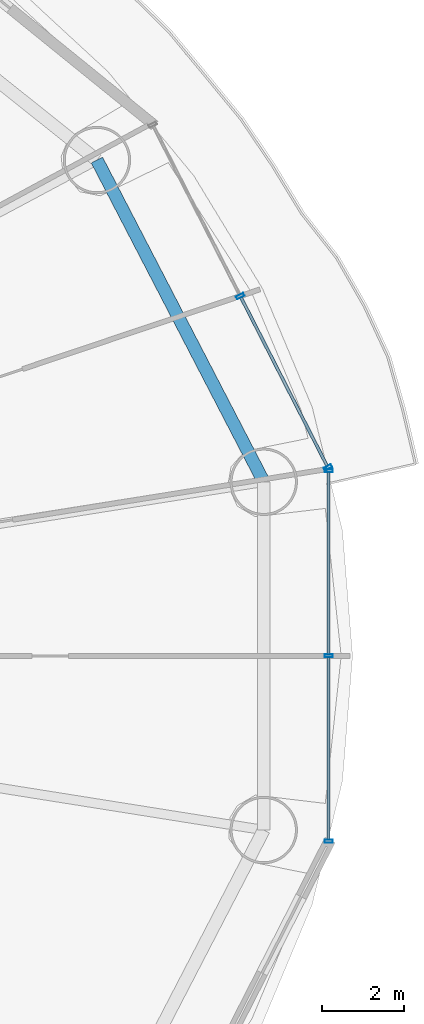
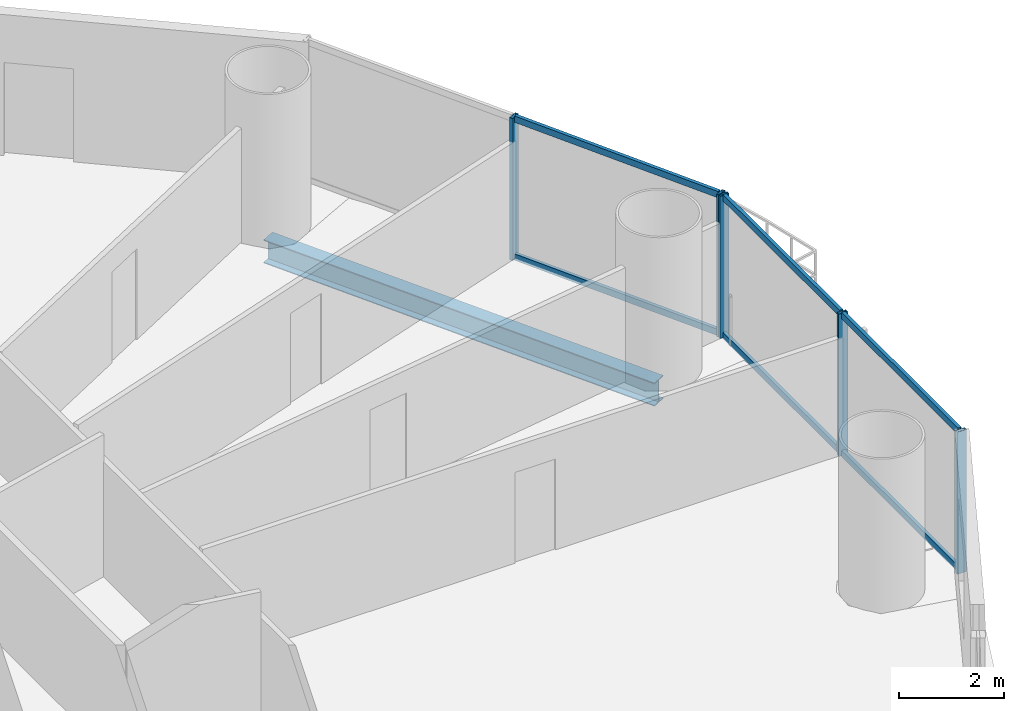
# One storey, part 14 of 29: 11 members, 1 beam, 2 elements without a shape of their own.
"""IFC4 building model written with IfcOpenShell, lengths in metres."""

from ifc_helpers import new_model, si_unit, direction, frame, origin, origin_2d, place, context, subcontext, project, spatial, hollow_rectangle, i_section, extrude, source, transform, mapped, material, material_profile, profile_set, type_object, element, aggregate, save


model = new_model("IFC4")

# Units and contexts
model_context = context("Model", 3, precision=1e-05, world=origin(), true_north=direction((-0.2419218956, 0.970295726276)))
body_context = subcontext(model_context, "Body", "Model", "MODEL_VIEW")
ifc_project = project(units=[si_unit("LENGTHUNIT", "METRE"), si_unit("AREAUNIT", "SQUARE_METRE"), si_unit("VOLUMEUNIT", "CUBIC_METRE"), si_unit("PLANEANGLEUNIT", "RADIAN"), si_unit("MASSUNIT", "GRAM", prefix="KILO")], contexts=[model_context])

# Site, building, storey
site_placement = place(None, origin())
site = spatial("IfcSite", under=ifc_project, at=site_placement, CompositionType="ELEMENT")
building_placement = place(site_placement, origin())
building = spatial("IfcBuilding", under=site, at=building_placement, Name="Cobrevalo Terracotta Tower", CompositionType="ELEMENT")
storey_placement = place(building_placement, frame((0.0, 0.0, 45.60009765625)))
storey = spatial("IfcBuildingStorey", under=building, at=storey_placement, Name="L11", CompositionType="ELEMENT", Elevation=45.60009765625)

# Beam
ifc_material_1 = material(Name="Steel S355", Category="steel")
ifc_material_profile_1 = material_profile(ifc_material_1, i_section(OverallWidth=0.31201171875, OverallDepth=0.54296875, WebThickness=0.0126953125, FlangeThickness=0.020263671875, at=origin_2d()), Name="W 530x150")
ifc_profile_set_1 = profile_set([ifc_material_profile_1], Name="Steel S355")
beam_type = type_object("IfcBeamType", Name="Structural Spandrel W 530x150 (Steel S355)", PredefinedType="SPANDREL", material=ifc_profile_set_1)
beam_placement = place(storey_placement, frame((64.824462890625, 31.062744140625, -0.551513671875), z_axis=(-0.460285838799, 0.88777077368, 0.0), x_axis=(-0.88777077368, -0.460285838799, 0.0)))
element("IfcBeam", 1, at=beam_placement, inside=storey, type_object=beam_type, Name="L11 perimeter ring spandrel 01", PredefinedType="SPANDREL", context=body_context, shape_type="SweptSolid", body=[
    extrude(i_section(OverallWidth=0.31201171875, OverallDepth=0.54296875, WebThickness=0.0126953125, FlangeThickness=0.020263671875, at=origin_2d()), origin(), (0.0, 0.0, 1.0), 8.8720703125),
])

# Curtain wall, members
ifc_material_2 = material(Name="Anodized aluminium", Category="aluminium")
curtain_wall_type = type_object("IfcCurtainWallType", Name="Lower-tower unitised acoustic low-E curtain wall CW-U1", PredefinedType="NOTDEFINED", material=ifc_material_2)
curtain_wall_1_placement = place(storey_placement, origin())
curtain_wall_1 = element("IfcCurtainWall", 2, at=curtain_wall_1_placement, inside=storey, type_object=curtain_wall_type, Name="L11 curtain wall CW-L11-S16", PredefinedType="NOTDEFINED")
ifc_material_profile_2 = material_profile(ifc_material_2, hollow_rectangle(XDim=0.074951171875, YDim=0.14990234375, WallThickness=0.00439453125, at=origin_2d()), Name="CWT 75x150")
ifc_profile_set_2 = profile_set([ifc_material_profile_2], Name="Anodized aluminium")
member_type_1 = type_object("IfcMemberType", Name="Tower unitised aluminium transom 75x150", PredefinedType="USERDEFINED", material=ifc_profile_set_2)
shared_shape_1 = source(origin(), body_context, "Body", "SweptSolid", [
    extrude(hollow_rectangle(XDim=0.074951171875, YDim=0.14990234375, WallThickness=0.00439453125, at=origin_2d()), origin(), (0.0, 0.0, 1.0), 4.458740234375),
])
member_1_placement = place(storey_placement, frame((66.413330078125, 22.30126953125, 0.0498046875), z_axis=(0.0, 1.0, 0.0), x_axis=(-1.0, 0.0, 0.0)))
member_1 = element("IfcMember", 3, at=member_1_placement, type_object=member_type_1, Name="CW-L11-S16 transom B01-T1", ObjectType="TRANSOM", PredefinedType="USERDEFINED", context=body_context, shape_type="MappedRepresentation", body=[
    mapped(shared_shape_1, transform((0.0, 0.0, 0.0), scale=1.0)),
])
member_2_placement = place(storey_placement, frame((66.413330078125, 22.30126953125, 3.27001953125), z_axis=(0.0, 1.0, 0.0), x_axis=(-1.0, 0.0, 0.0)))
member_2 = element("IfcMember", 4, at=member_2_placement, type_object=member_type_1, Name="CW-L11-S16 transom B01-T2", ObjectType="TRANSOM", PredefinedType="USERDEFINED", context=body_context, shape_type="MappedRepresentation", body=[
    mapped(shared_shape_1, transform((0.0, 0.0, 0.0), scale=1.0)),
])
member_3_placement = place(storey_placement, frame((66.413330078125, 26.840087890625, 0.0498046875), z_axis=(0.0, 1.0, 0.0), x_axis=(-1.0, 0.0, 0.0)))
member_3 = element("IfcMember", 5, at=member_3_placement, type_object=member_type_1, Name="CW-L11-S16 transom B02-T1", ObjectType="TRANSOM", PredefinedType="USERDEFINED", context=body_context, shape_type="MappedRepresentation", body=[
    mapped(shared_shape_1, transform((0.0, 0.0, 0.0), scale=1.0)),
])
member_4_placement = place(storey_placement, frame((66.413330078125, 26.840087890625, 3.27001953125), z_axis=(0.0, 1.0, 0.0), x_axis=(-1.0, 0.0, 0.0)))
member_4 = element("IfcMember", 6, at=member_4_placement, type_object=member_type_1, Name="CW-L11-S16 transom B02-T2", ObjectType="TRANSOM", PredefinedType="USERDEFINED", context=body_context, shape_type="MappedRepresentation", body=[
    mapped(shared_shape_1, transform((0.0, 0.0, 0.0), scale=1.0)),
])

curtain_wall_2_placement = place(storey_placement, origin())
curtain_wall_2 = element("IfcCurtainWall", 7, at=curtain_wall_2_placement, inside=storey, type_object=curtain_wall_type, Name="L11 curtain wall CW-L11-S01", PredefinedType="NOTDEFINED")
ifc_material_profile_3 = material_profile(ifc_material_2, hollow_rectangle(XDim=0.074951171875, YDim=0.199951171875, WallThickness=0.0048828125, at=origin_2d()), Name="CWM 75x200")
ifc_profile_set_3 = profile_set([ifc_material_profile_3], Name="Anodized aluminium")
member_type_2 = type_object("IfcMemberType", Name="Lower/mid tower unitised mullion 75x200", PredefinedType="MULLION", material=ifc_profile_set_3)
shared_shape_2 = source(origin(), body_context, "Body", "SweptSolid", [
    extrude(hollow_rectangle(XDim=0.074951171875, YDim=0.199951171875, WallThickness=0.0048828125, at=origin_2d()), origin(), (0.0, 0.0, 1.0), 3.31982421875),
])
member_5_placement = place(storey_placement, frame((66.39501953125, 31.414306640625, 0.0), z_axis=(0.0, 0.0, 1.0), x_axis=(-0.455234136597, 0.890371765543, 0.0)))
member_5 = element("IfcMember", 8, at=member_5_placement, type_object=member_type_2, Name="CW-L11-S01 vertical mullion 01", PredefinedType="MULLION", context=body_context, shape_type="MappedRepresentation", body=[
    mapped(shared_shape_2, transform((0.0, 0.0, 0.0), scale=1.0)),
])
member_6_placement = place(storey_placement, frame((64.25048828125, 35.60888671875, 0.0), z_axis=(0.0, 0.0, 1.0), x_axis=(-0.455234136597, 0.890371765543, 0.0)))
member_6 = element("IfcMember", 9, at=member_6_placement, type_object=member_type_2, Name="CW-L11-S01 vertical mullion 02", PredefinedType="MULLION", context=body_context, shape_type="MappedRepresentation", body=[
    mapped(shared_shape_2, transform((0.0, 0.0, 0.0), scale=1.0)),
])

# Member
member_7_placement = place(storey_placement, frame((66.413330078125, 22.26123046875, 0.0), z_axis=(0.0, 0.0, 1.0), x_axis=(0.0, 1.0, 0.0)))
member_7 = element("IfcMember", 10, at=member_7_placement, type_object=member_type_2, Name="CW-L11-S16 vertical mullion 01", PredefinedType="MULLION", context=body_context, shape_type="MappedRepresentation", body=[
    mapped(shared_shape_2, transform((0.0, 0.0, 0.0), scale=1.0)),
])

member_8_placement = place(storey_placement, frame((66.413330078125, 26.800048828125, 0.0), z_axis=(0.0, 0.0, 1.0), x_axis=(0.0, 1.0, 0.0)))
member_8 = element("IfcMember", 11, at=member_8_placement, type_object=member_type_2, Name="CW-L11-S16 vertical mullion 02", PredefinedType="MULLION", context=body_context, shape_type="MappedRepresentation", body=[
    mapped(shared_shape_2, transform((0.0, 0.0, 0.0), scale=1.0)),
])

member_9_placement = place(storey_placement, frame((66.413330078125, 31.3388671875, 0.0), z_axis=(0.0, 0.0, 1.0), x_axis=(0.0, 1.0, 0.0)))
member_9 = element("IfcMember", 12, at=member_9_placement, type_object=member_type_2, Name="CW-L11-S16 vertical mullion 03", PredefinedType="MULLION", context=body_context, shape_type="MappedRepresentation", body=[
    mapped(shared_shape_2, transform((0.0, 0.0, 0.0), scale=1.0)),
])

aggregate(curtain_wall_1, [member_7, member_8, member_9, member_1, member_2, member_3, member_4])

shared_shape_3 = source(origin(), body_context, "Body", "SweptSolid", [
    extrude(hollow_rectangle(XDim=0.074951171875, YDim=0.14990234375, WallThickness=0.00439453125, at=origin_2d()), origin(), (0.0, 0.0, 1.0), 4.631103515625),
])
member_10_placement = place(storey_placement, frame((66.376953125, 31.449951171875, 0.0498046875), z_axis=(-0.455208584993, 0.890384829245, 0.0), x_axis=(-0.890384829245, -0.455208584993, 0.0)))
member_10 = element("IfcMember", 13, at=member_10_placement, type_object=member_type_1, Name="CW-L11-S01 transom B01-T1", ObjectType="TRANSOM", PredefinedType="USERDEFINED", context=body_context, shape_type="MappedRepresentation", body=[
    mapped(shared_shape_3, transform((0.0, 0.0, 0.0), scale=1.0)),
])

member_11_placement = place(storey_placement, frame((66.376953125, 31.449951171875, 3.27001953125), z_axis=(-0.455208584993, 0.890384829245, 0.0), x_axis=(-0.890384829245, -0.455208584993, 0.0)))
member_11 = element("IfcMember", 14, at=member_11_placement, type_object=member_type_1, Name="CW-L11-S01 transom B01-T2", ObjectType="TRANSOM", PredefinedType="USERDEFINED", context=body_context, shape_type="MappedRepresentation", body=[
    mapped(shared_shape_3, transform((0.0, 0.0, 0.0), scale=1.0)),
])

aggregate(curtain_wall_2, [member_5, member_6, member_10, member_11])

save(model, "model.ifc")
